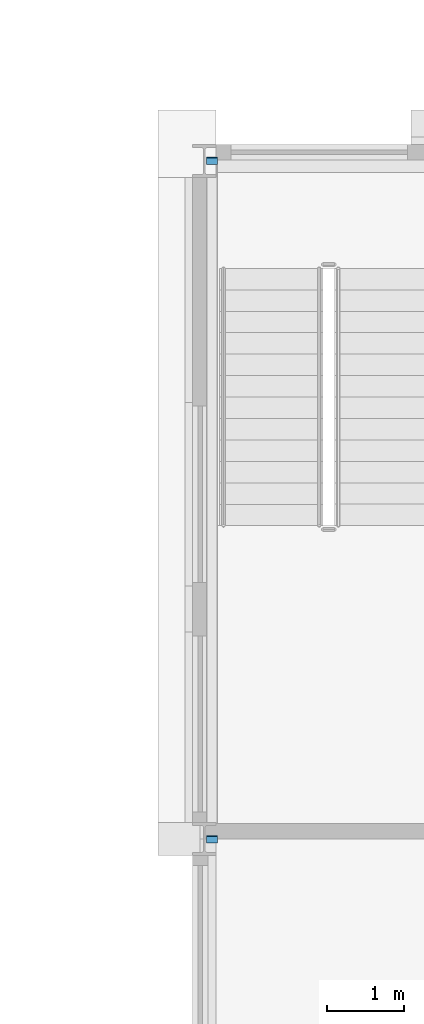
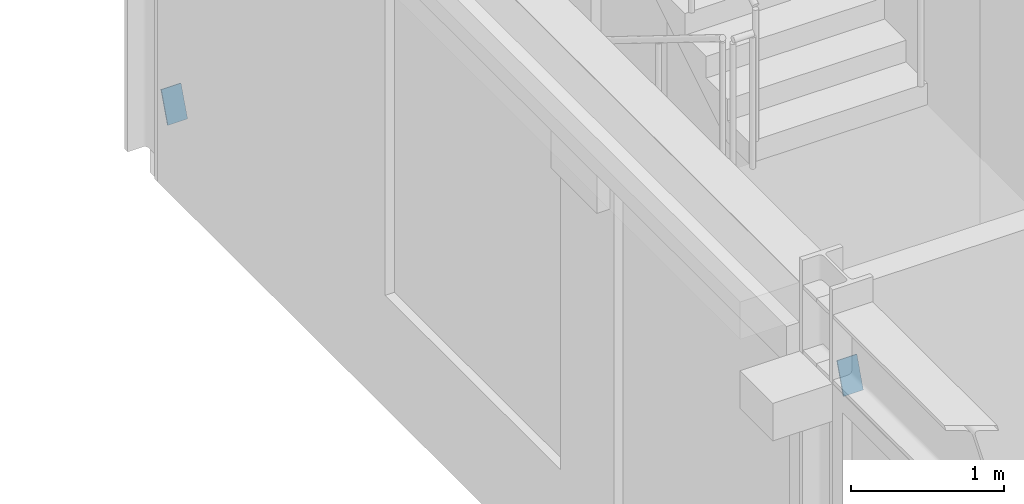
# One storey, part 116 of 153: 2 discrete accessories.
"""IFC4 building model written with IfcOpenShell, lengths in metres."""

import ifcopenshell
import ifcopenshell.guid

model = None  # the IFC model being written
_history = None  # IfcOwnerHistory: only IFC2X3 demands one
_inside = {}  # id of a spatial element -> (the spatial element, [elements in it])
_under = {}  # id of a project, library or spatial element -> (it, [spatial elements below it])
_declared = {}  # id of a project -> (the project, [libraries it declares])
_typed = {}  # id of a type object -> (the type object, [elements of that type])
_made_of = {}  # id of a material, layer set ... -> (it, [elements and type objects made of it])


def new_model(schema):
    """Start an empty IFC model of exactly this schema.

    Asked for "IFC4X3", IfcOpenShell would pick the latest addendum, in which some entities
    have other attributes; the version numbers below select the first issue.
    IFC2X3 requires an IfcOwnerHistory on every rooted entity: one is made here for all.
    """
    global model, _history
    if schema == "IFC4X3":
        model = ifcopenshell.file(schema_version=(4, 3, 0, 0))
    else:
        model = ifcopenshell.file(schema=schema)
    _inside.clear()
    _under.clear()
    _declared.clear()
    _typed.clear()
    _made_of.clear()
    _history = None
    if model.schema == "IFC2X3":
        org = make("IfcOrganization", Name="unknown")
        user = make(
            "IfcPersonAndOrganization",
            ThePerson=make("IfcPerson", FamilyName="unknown"),
            TheOrganization=org,
        )
        app = make(
            "IfcApplication",
            ApplicationDeveloper=org,
            Version="unknown",
            ApplicationFullName="unknown",
            ApplicationIdentifier="unknown",
        )
        _history = make(
            "IfcOwnerHistory",
            OwningUser=user,
            OwningApplication=app,
            ChangeAction="ADDED",
            CreationDate=0,
        )
    return model


def make(cls, **values):
    """One entity of the class cls with the attributes given. An attribute that is None is left unset."""
    return model.create_entity(
        cls, **{name: value for name, value in values.items() if value is not None}
    )


def rooted(cls, **values):
    """An entity with a GlobalId (a new one), such as an element, a storey or a relation."""
    return make(cls, GlobalId=ifcopenshell.guid.new(), OwnerHistory=_history, **values)


def si_unit(unit_type, name, prefix=None):
    """IfcSIUnit, for example si_unit("LENGTHUNIT", "METRE", prefix="MILLI")."""
    return make("IfcSIUnit", UnitType=unit_type, Prefix=prefix, Name=name)


def assignment(units):
    """IfcUnitAssignment: the units of a project."""
    return None if units is None else make("IfcUnitAssignment", Units=units)


def point(xyz):
    """IfcCartesianPoint."""
    return None if xyz is None else make("IfcCartesianPoint", Coordinates=xyz)


def direction(xyz):
    """IfcDirection."""
    return None if xyz is None else make("IfcDirection", DirectionRatios=xyz)


def frame(location, z_axis=None, x_axis=None):
    """IfcAxis2Placement3D, a coordinate frame: its origin and axes. An axis left out is left unset."""
    return make(
        "IfcAxis2Placement3D",
        Location=point(location),
        Axis=direction(z_axis),
        RefDirection=direction(x_axis),
    )


def frame_2d(location, x_axis=None):
    """IfcAxis2Placement2D, a coordinate frame in the plane: its origin and x axis."""
    return make(
        "IfcAxis2Placement2D", Location=point(location), RefDirection=direction(x_axis)
    )


def origin():
    """The frame at (0, 0, 0) with its axes left unset."""
    return frame((0.0, 0.0, 0.0))


def origin_2d():
    """The frame at (0, 0) in the plane with its x axis left unset."""
    return frame_2d((0.0, 0.0))


def place(relative_to, where):
    """IfcLocalPlacement: puts the frame where relative to a parent placement (None: the world)."""
    return make(
        "IfcLocalPlacement", PlacementRelTo=relative_to, RelativePlacement=where
    )


def context(
    kind, dimensions, precision=None, world=None, true_north=None, identifier=None
):
    """IfcGeometricRepresentationContext, for example the 3D "Model" context."""
    return make(
        "IfcGeometricRepresentationContext",
        ContextIdentifier=identifier,
        ContextType=kind,
        CoordinateSpaceDimension=dimensions,
        Precision=precision,
        WorldCoordinateSystem=world,
        TrueNorth=true_north,
    )


def subcontext(parent, identifier, kind, view, scale=None):
    """IfcGeometricRepresentationSubContext, for example "Body" below "Model"."""
    return make(
        "IfcGeometricRepresentationSubContext",
        ContextIdentifier=identifier,
        ContextType=kind,
        ParentContext=parent,
        TargetScale=scale,
        TargetView=view,
    )


def project(units=None, contexts=None):
    """IfcProject with its units and contexts."""
    return rooted(
        "IfcProject",
        Name="project",
        RepresentationContexts=contexts,
        UnitsInContext=assignment(units),
    )


def spatial(cls, under=None, at=None, **own):
    """A site, building, storey or space (cls), placed at a placement, below another one or the project."""
    s = rooted(cls, ObjectPlacement=at, **own)
    if under is not None:
        _under.setdefault(under.id(), (under, []))[1].append(s)
    return s


def profile(cls, at=None, kind="AREA", **sizes):
    """A parametric profile (cls). Its sizes go by their IFC names, for example OverallWidth=200.0."""
    return make(cls, ProfileType=kind, Position=at, **sizes)


def rectangle(**sizes):
    """IfcRectangleProfileDef."""
    return profile("IfcRectangleProfileDef", **sizes)


def extrude(swept, where, along, depth):
    """IfcExtrudedAreaSolid: the profile swept, set in the frame where, extruded along a direction by depth."""
    return make(
        "IfcExtrudedAreaSolid",
        SweptArea=swept,
        Position=where,
        ExtrudedDirection=direction(along),
        Depth=depth,
    )


def shape(context_of_items, identifier, shape_type, items):
    """IfcShapeRepresentation: the items that make up one representation, for example the "Body"."""
    return make(
        "IfcShapeRepresentation",
        ContextOfItems=context_of_items,
        RepresentationIdentifier=identifier,
        RepresentationType=shape_type,
        Items=items,
    )


def material(Name=None, Category=None):
    """IfcMaterial."""
    return make("IfcMaterial", Name=Name, Category=Category)


def material_profile(
    of_material, cross_section, Name=None, Category=None, Priority=None
):
    """IfcMaterialProfile: a cross section and its material."""
    return make(
        "IfcMaterialProfile",
        Name=Name,
        Material=of_material,
        Profile=cross_section,
        Priority=Priority,
        Category=Category,
    )


def profile_set(profiles, Name=None, composite=None):
    """IfcMaterialProfileSet."""
    return make(
        "IfcMaterialProfileSet",
        Name=Name,
        MaterialProfiles=profiles,
        CompositeProfile=composite,
    )


def made_of(thing, what):
    """Note that an element or type object is made of a material, layer set ...; save() writes the relation."""
    if what is not None:
        _made_of.setdefault(what.id(), (what, []))[1].append(thing)
    return thing


def type_object(cls, material=None, **own):
    """A type object (cls), such as IfcWallType, which elements share."""
    return made_of(rooted(cls, **own), material)


def element(
    cls,
    number,
    at=None,
    inside=None,
    cuts=None,
    type_object=None,
    material=None,
    context=None,
    identifier="Body",
    shape_type=None,
    held_by="IfcProductDefinitionShape",
    body=None,
    shapes=None,
    **own,
):
    """One element of the class cls, such as IfcWall. Its Tag is "e" and its number.

    at: its placement. inside: the storey or other place that contains it. cuts: it is an
    opening in that element (IfcRelVoidsElement). A single representation is given by context,
    identifier, shape_type and body (its items); several are given by shapes. held_by: the class
    of the entity that holds the representations. save() writes the other relations.
    """
    e = rooted(cls, Tag="e%d" % number, ObjectPlacement=at, **own)
    if body is not None:
        shapes = [shape(context, identifier, shape_type, body)]
    if shapes is not None:
        e.Representation = make(held_by, Representations=shapes)
    if inside is not None:
        _inside.setdefault(inside.id(), (inside, []))[1].append(e)
    if cuts is not None:
        rooted(
            "IfcRelVoidsElement", RelatingBuildingElement=cuts, RelatedOpeningElement=e
        )
    if type_object is not None:
        _typed.setdefault(type_object.id(), (type_object, []))[1].append(e)
    return made_of(e, material)


def aggregate(whole, parts):
    """IfcRelAggregates: a whole, such as a stair, and the parts it consists of."""
    return rooted("IfcRelAggregates", RelatingObject=whole, RelatedObjects=parts)


def save(model, path):
    """Write the relations noted so far, then the file.

    IfcRelAggregates (storeys below a building ...), IfcRelContainedInSpatialStructure (elements
    in a storey), IfcRelDefinesByType, IfcRelAssociatesMaterial and IfcRelDeclares: one each for
    every whole, place, type object, material and project.
    """
    for whole, parts in _under.values():
        aggregate(whole, parts)
    for where, things in _inside.values():
        rooted(
            "IfcRelContainedInSpatialStructure",
            RelatedElements=things,
            RelatingStructure=where,
        )
    for kind, things in _typed.values():
        rooted("IfcRelDefinesByType", RelatedObjects=things, RelatingType=kind)
    for what, things in _made_of.values():
        rooted("IfcRelAssociatesMaterial", RelatedObjects=things, RelatingMaterial=what)
    for by, libraries in _declared.values():
        rooted("IfcRelDeclares", RelatingContext=by, RelatedDefinitions=libraries)
    model.write(path)


model = new_model("IFC4")

# Units and contexts
model_context = context("Model", 3, precision=1e-05, world=origin(), true_north=direction((0.0, 1.0)))
body_context = subcontext(model_context, "Body", "Model", "MODEL_VIEW")
ifc_project = project(units=[si_unit("LENGTHUNIT", "METRE"), si_unit("AREAUNIT", "SQUARE_METRE"), si_unit("VOLUMEUNIT", "CUBIC_METRE"), si_unit("PLANEANGLEUNIT", "RADIAN"), si_unit("MASSUNIT", "GRAM", prefix="KILO")], contexts=[model_context])

# Site, building, storey
site_placement = place(None, origin())
site = spatial("IfcSite", under=ifc_project, at=site_placement, CompositionType="ELEMENT")
building_placement = place(site_placement, origin())
building = spatial("IfcBuilding", under=site, at=building_placement, Name="Kallimachos Central Library", CompositionType="ELEMENT")
storey_placement = place(building_placement, frame((0.0, 0.0, 5.39990234375)))
storey = spatial("IfcBuildingStorey", under=building, at=storey_placement, Name="L01", CompositionType="ELEMENT", Elevation=5.39990234375)

# Discrete accessories
ifc_material = material(Name="Steel S355J2", Category="steel")
ifc_material_profile = material_profile(ifc_material, rectangle(XDim=0.14990234375, YDim=0.25, at=origin_2d()), Name="End cap plate 10, 150x250")
ifc_profile_set = profile_set([ifc_material_profile], Name="Steel S355J2")
discrete_accessory_type = type_object("IfcDiscreteAccessoryType", Name="End cap plate 10, 150x250", PredefinedType="BRACKET", material=ifc_profile_set)
discrete_accessory_1_placement = place(storey_placement, frame((65.60009765625, 83.859375, 0.396728515625), z_axis=(0.0, -0.938343116817, 0.345705358827), x_axis=(1.0, 0.0, 0.0)))
element("IfcDiscreteAccessory", 1, at=discrete_accessory_1_placement, inside=storey, type_object=discrete_accessory_type, Name="End cap plate", PredefinedType="BRACKET", context=body_context, shape_type="SweptSolid", body=[
    extrude(rectangle(XDim=0.14990234375, YDim=0.25, at=origin_2d()), origin(), (0.0, 0.0, 1.0), 0.009765625),
])
discrete_accessory_2_placement = place(storey_placement, frame((65.60009765625, 75.0, 3.60009765625), z_axis=(0.0, -0.941194670762, 0.337864753607), x_axis=(1.0, 0.0, 0.0)))
element("IfcDiscreteAccessory", 2, at=discrete_accessory_2_placement, inside=storey, type_object=discrete_accessory_type, Name="End cap plate", PredefinedType="BRACKET", context=body_context, shape_type="SweptSolid", body=[
    extrude(rectangle(XDim=0.14990234375, YDim=0.25, at=origin_2d()), origin(), (0.0, 0.0, 1.0), 0.010009765625),
])

save(model, "model.ifc")
